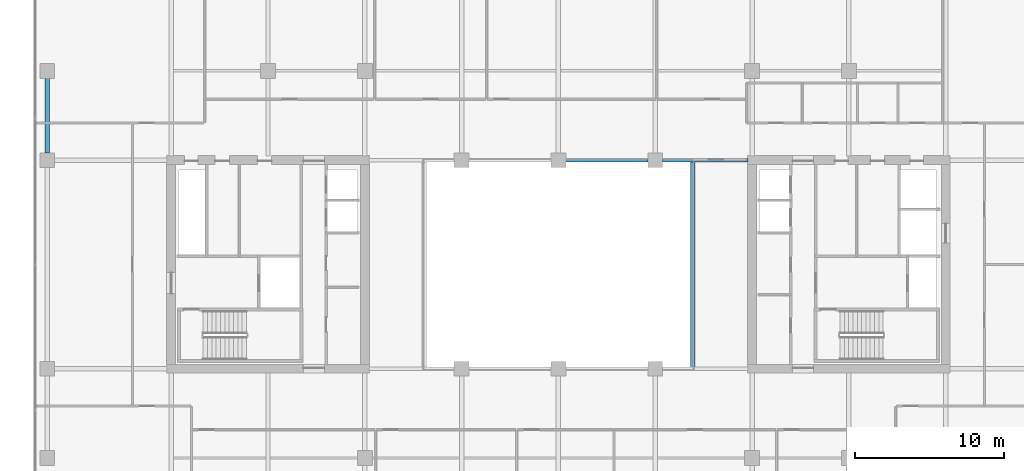
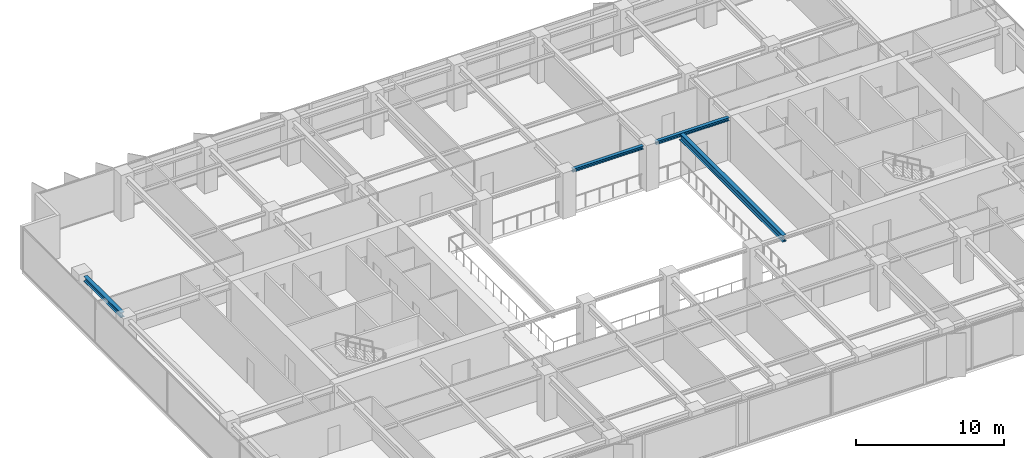
# One storey, part 7 of 22: 4 beams.
"""IFC4 building model written with IfcOpenShell, lengths in metres."""

from ifc_helpers import new_model, si_unit, direction, frame, origin, origin_2d, place, context, subcontext, project, spatial, i_section, extrude, material, material_profile, profile_set, type_object, element, save


model = new_model("IFC4")

# Units and contexts
model_context = context("Model", 3, precision=1e-05, world=origin(), true_north=direction((0.0, 1.0)))
body_context = subcontext(model_context, "Body", "Model", "MODEL_VIEW")
ifc_project = project(units=[si_unit("LENGTHUNIT", "METRE"), si_unit("AREAUNIT", "SQUARE_METRE"), si_unit("VOLUMEUNIT", "CUBIC_METRE"), si_unit("PLANEANGLEUNIT", "RADIAN"), si_unit("MASSUNIT", "GRAM", prefix="KILO")], contexts=[model_context])

# Site, building, storey
site_placement = place(None, origin())
site = spatial("IfcSite", under=ifc_project, at=site_placement, CompositionType="ELEMENT")
building_placement = place(site_placement, origin())
building = spatial("IfcBuilding", under=site, at=building_placement, Name="Putna Gate Headquarters", CompositionType="ELEMENT")
storey_placement = place(building_placement, frame((0.0, 0.0, 170.800048828125)))
storey = spatial("IfcBuildingStorey", under=building, at=storey_placement, Name="L42", CompositionType="ELEMENT", Elevation=170.800048828125)

# Beams
ifc_material = material(Name="Steel S355J2", Category="steel")
ifc_material_profile_1 = material_profile(ifc_material, i_section(OverallWidth=0.260009765625, OverallDepth=0.260009765625, WebThickness=0.010009765625, FlangeThickness=0.017578125, at=origin_2d()), Name="Steel S355J2")
ifc_profile_set_1 = profile_set([ifc_material_profile_1], Name="Steel S355J2")
beam_type_1 = type_object("IfcBeamType", Name="BM-ATRIUM-HEB260", PredefinedType="BEAM", material=ifc_profile_set_1)
beam_1_placement = place(storey_placement, frame((39.488037109375, 33.0, 3.44189453125), z_axis=(1.0, 0.0, 0.0), x_axis=(0.0, 1.0, 0.0)))
element("IfcBeam", 1, at=beam_1_placement, inside=storey, type_object=beam_type_1, Name="L42 Atrium Edge Beam AN3", PredefinedType="BEAM", context=body_context, shape_type="SweptSolid", body=[
    extrude(i_section(OverallWidth=0.260009765625, OverallDepth=0.260009765625, WebThickness=0.010009765625, FlangeThickness=0.017578125, at=origin_2d()), origin(), (0.0, 0.0, 1.0), 5.52392578125),
])
beam_2_placement = place(storey_placement, frame((45.988037109375, 33.0, 3.44189453125), z_axis=(1.0, 0.0, 0.0), x_axis=(0.0, 1.0, 0.0)))
element("IfcBeam", 2, at=beam_2_placement, inside=storey, type_object=beam_type_1, Name="L42 Atrium Edge Beam AN4", PredefinedType="BEAM", context=body_context, shape_type="SweptSolid", body=[
    extrude(i_section(OverallWidth=0.260009765625, OverallDepth=0.260009765625, WebThickness=0.010009765625, FlangeThickness=0.017578125, at=origin_2d()), origin(), (0.0, 0.0, 1.0), 5.72705078125),
])
ifc_material_profile_2 = material_profile(ifc_material, i_section(OverallWidth=0.300048828125, OverallDepth=0.550048828125, WebThickness=0.014892578125, FlangeThickness=0.029052734375, at=origin_2d()), Name="Steel S355J2")
ifc_profile_set_2 = profile_set([ifc_material_profile_2], Name="Steel S355J2")
beam_type_2 = type_object("IfcBeamType", Name="BM-GIRD-Z3-HEB550", PredefinedType="USERDEFINED", material=ifc_profile_set_2)
beam_3_placement = place(storey_placement, frame((48.0, 19.010009765625, 3.296875), z_axis=(0.0, 1.0, 0.0), x_axis=(-1.0, 0.0, 0.0)))
element("IfcBeam", 3, at=beam_3_placement, inside=storey, type_object=beam_type_2, Name="L42 Atrium Trim Girder AE", ObjectType="GIRDER", PredefinedType="USERDEFINED", context=body_context, shape_type="SweptSolid", body=[
    extrude(i_section(OverallWidth=0.300048828125, OverallDepth=0.550048828125, WebThickness=0.014892578125, FlangeThickness=0.029052734375, at=origin_2d()), origin(), (0.0, 0.0, 1.0), 13.97998046875),
])
ifc_material_profile_3 = material_profile(ifc_material, i_section(OverallWidth=0.300048828125, OverallDepth=0.39990234375, WebThickness=0.013427734375, FlangeThickness=0.02392578125, at=origin_2d()), Name="Steel S355J2")
ifc_profile_set_3 = profile_set([ifc_material_profile_3], Name="Steel S355J2")
beam_type_3 = type_object("IfcBeamType", Name="BM-SPAN-Z3-HEB400", PredefinedType="SPANDREL", material=ifc_profile_set_3)
beam_4_placement = place(storey_placement, frame((4.679931640625, 33.488037109375, 3.3720703125), z_axis=(0.0, 1.0, 0.0), x_axis=(-1.0, 0.0, 0.0)))
element("IfcBeam", 4, at=beam_4_placement, inside=storey, type_object=beam_type_3, Name="L42 W End Spandrel 3", PredefinedType="SPANDREL", context=body_context, shape_type="SweptSolid", body=[
    extrude(i_section(OverallWidth=0.300048828125, OverallDepth=0.39990234375, WebThickness=0.013427734375, FlangeThickness=0.02392578125, at=origin_2d()), origin(), (0.0, 0.0, 1.0), 5.02392578125),
])

save(model, "model.ifc")
